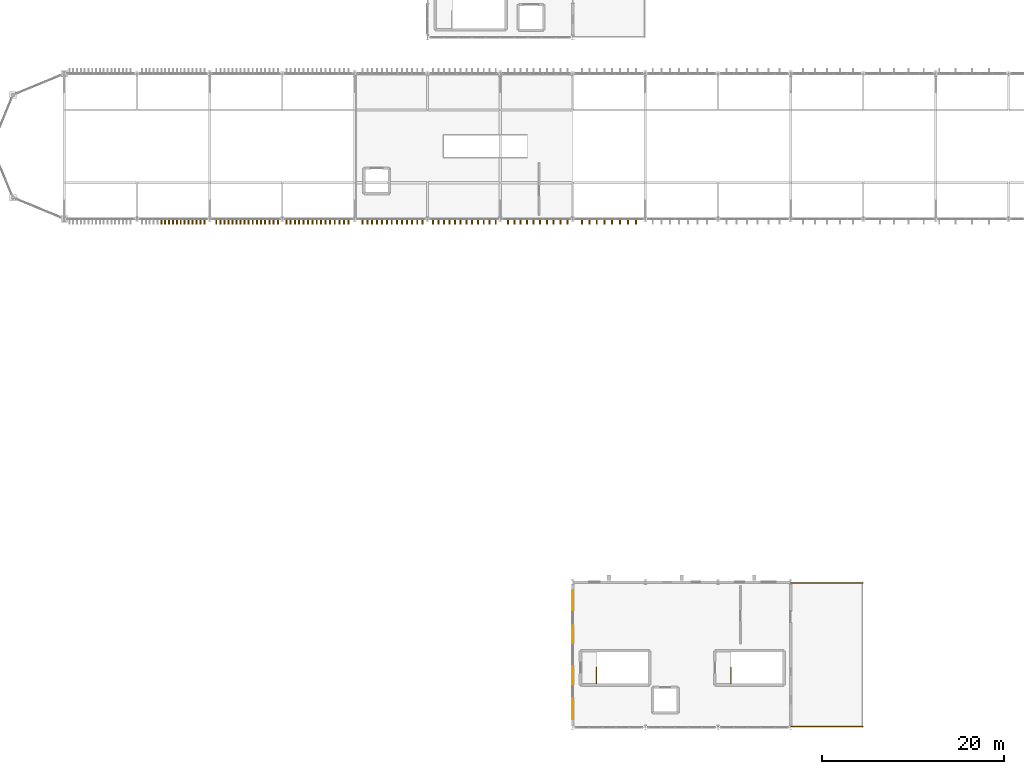
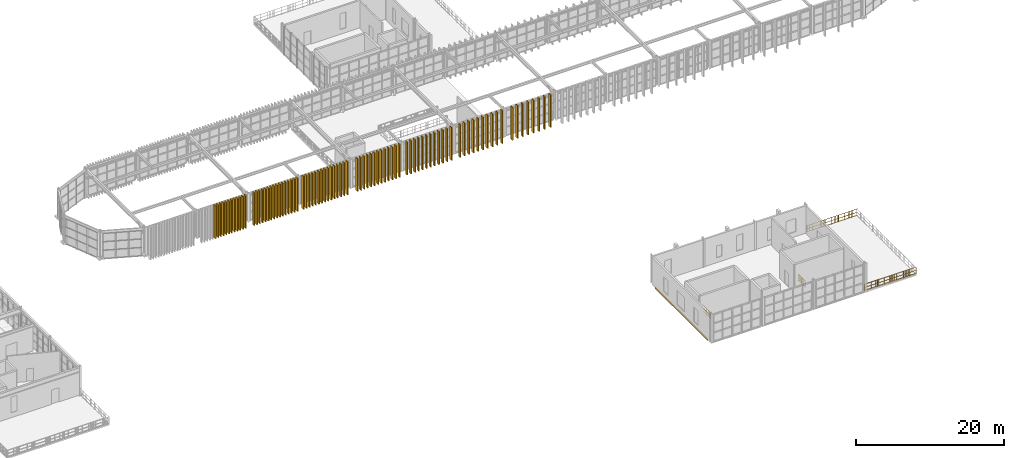
# One storey, part 56 of 61: 87 coverings, 4 railings.
"""IFC4 building model written with IfcOpenShell, lengths in metres."""

from ifc_helpers import new_model, si_unit, direction, frame, origin, origin_2d, place, context, subcontext, project, spatial, rectangle, extrude, material, layer, layer_set, type_object, element, save


model = new_model("IFC4")

# Units and contexts
model_context = context("Model", 3, precision=1e-05, world=origin(), true_north=direction((0.0, 1.0)))
body_context = subcontext(model_context, "Body", "Model", "MODEL_VIEW")
ifc_project = project(units=[si_unit("LENGTHUNIT", "METRE"), si_unit("AREAUNIT", "SQUARE_METRE"), si_unit("VOLUMEUNIT", "CUBIC_METRE"), si_unit("PLANEANGLEUNIT", "RADIAN"), si_unit("MASSUNIT", "GRAM", prefix="KILO")], contexts=[model_context])

# Site, building, storey
site_placement = place(None, origin())
site = spatial("IfcSite", under=ifc_project, at=site_placement, CompositionType="ELEMENT")
building_placement = place(site_placement, origin())
building = spatial("IfcBuilding", under=site, at=building_placement, Name="Serraluz Foothill Cableway Terminal", CompositionType="ELEMENT")
storey_placement = place(building_placement, frame((0.0, 0.0, 15.0)))
storey = spatial("IfcBuildingStorey", under=building, at=storey_placement, Name="L03", CompositionType="ELEMENT", Elevation=15.0)

# Coverings
ifc_material_1 = material(Name="Fired clay masonry brick (f'm 12 MPa)", Category="masonry")
ifc_layer_1 = layer(ifc_material_1, 0.090087890625, Name="Fired clay masonry brick (f'm 12 MPa)", Category="masonry")
ifc_layer_set_1 = layer_set([ifc_layer_1], Name="Fired clay masonry brick (f'm 12 MPa)")
covering_type_1 = type_object("IfcCoveringType", Name="TYP-COV-CLAD-90", PredefinedType="CLADDING", material=ifc_layer_set_1)
covering_placement = place(storey_placement, frame((95.969970703125, 8.0, -0.27978515625), z_axis=(0.0, 0.0, 1.0), x_axis=(0.0, 1.0, 0.0)))
element("IfcCovering", 1, at=covering_placement, inside=storey, type_object=covering_type_1, Name="Terracotta Spandrel Relief Band COV-CLAD-V3W-2", PredefinedType="CLADDING", context=body_context, shape_type="SweptSolid", body=[
    extrude(rectangle(XDim=14.199951171875, YDim=0.090087890625, at=origin_2d()), origin(), (0.0, 0.0, 1.0), 0.280029296875),
])
ifc_material_2 = material(Name="Architectural bronze alloy C28000", Category="aluminium")
ifc_layer_2 = layer(ifc_material_2, 0.159912109375, Name="Architectural bronze alloy C28000", Category="aluminium")
ifc_layer_set_2 = layer_set([ifc_layer_2], Name="Architectural bronze alloy C28000")
covering_type_2 = type_object("IfcCoveringType", Name="TYP-COV-SLAT-480", PredefinedType="CLADDING", material=ifc_layer_set_2)
for number, where, z_axis, x_axis, name in (
    (2, (50.67626953125, 55.639892578125, -0.64990234375), (0.0, 0.0, 1.0), (1.0, 0.0, 0.0), "Graduated Upper Vertical Facade Slat S-0023"),
    (3, (51.10302734375, 55.639892578125, -0.64990234375), (0.0, 0.0, 1.0), (1.0, 0.0, 0.0), "Graduated Upper Vertical Facade Slat S-0024"),
    (4, (51.53076171875, 55.639892578125, -0.64990234375), (0.0, 0.0, 1.0), (1.0, 0.0, 0.0), "Graduated Upper Vertical Facade Slat S-0025"),
    (5, (51.958984375, 55.639892578125, -0.64990234375), (0.0, 0.0, 1.0), (1.0, 0.0, 0.0), "Graduated Upper Vertical Facade Slat S-0026"),
    (6, (52.38818359375, 55.639892578125, -0.64990234375), (0.0, 0.0, 1.0), (1.0, 0.0, 0.0), "Graduated Upper Vertical Facade Slat S-0027"),
    (7, (52.818115234375, 55.639892578125, -0.64990234375), (0.0, 0.0, 1.0), (1.0, 0.0, 0.0), "Graduated Upper Vertical Facade Slat S-0028"),
    (8, (53.2490234375, 55.639892578125, -0.64990234375), (0.0, 0.0, 1.0), (1.0, 0.0, 0.0), "Graduated Upper Vertical Facade Slat S-0029"),
    (9, (53.680908203125, 55.639892578125, -0.64990234375), (0.0, 0.0, 1.0), (1.0, 0.0, 0.0), "Graduated Upper Vertical Facade Slat S-0030"),
    (10, (54.113525390625, 55.639892578125, -0.64990234375), (0.0, 0.0, 1.0), (1.0, 0.0, 0.0), "Graduated Upper Vertical Facade Slat S-0031"),
    (11, (54.547119140625, 55.639892578125, -0.64990234375), (0.0, 0.0, 1.0), (1.0, 0.0, 0.0), "Graduated Upper Vertical Facade Slat S-0032"),
    (12, (54.98193359375, 55.639892578125, -0.64990234375), (0.0, 0.0, 1.0), (1.0, 0.0, 0.0), "Graduated Upper Vertical Facade Slat S-0033"),
    (13, (55.417724609375, 55.639892578125, -0.64990234375), (0.0, 0.0, 1.0), (1.0, 0.0, 0.0), "Graduated Upper Vertical Facade Slat S-0034"),
    (14, (56.732421875, 55.639892578125, -0.64990234375), (0.0, 0.0, 1.0), (1.0, 0.0, 0.0), "Graduated Upper Vertical Facade Slat S-0035"),
    (15, (57.173095703125, 55.639892578125, -0.64990234375), (0.0, 0.0, 1.0), (1.0, 0.0, 0.0), "Graduated Upper Vertical Facade Slat S-0036"),
    (16, (57.615234375, 55.639892578125, -0.64990234375), (0.0, 0.0, 1.0), (1.0, 0.0, 0.0), "Graduated Upper Vertical Facade Slat S-0037"),
    (17, (58.058837890625, 55.639892578125, -0.64990234375), (0.0, 0.0, 1.0), (1.0, 0.0, 0.0), "Graduated Upper Vertical Facade Slat S-0038"),
    (18, (58.503662109375, 55.639892578125, -0.64990234375), (0.0, 0.0, 1.0), (1.0, 0.0, 0.0), "Graduated Upper Vertical Facade Slat S-0039"),
    (19, (58.9501953125, 55.639892578125, -0.64990234375), (0.0, 0.0, 1.0), (1.0, 0.0, 0.0), "Graduated Upper Vertical Facade Slat S-0040"),
    (20, (59.398193359375, 55.639892578125, -0.64990234375), (0.0, 0.0, 1.0), (1.0, 0.0, 0.0), "Graduated Upper Vertical Facade Slat S-0041"),
    (21, (59.847900390625, 55.639892578125, -0.64990234375), (0.0, 0.0, 1.0), (1.0, 0.0, 0.0), "Graduated Upper Vertical Facade Slat S-0042"),
    (22, (60.299072265625, 55.639892578125, -0.64990234375), (0.0, 0.0, 1.0), (1.0, 0.0, 0.0), "Graduated Upper Vertical Facade Slat S-0043"),
    (23, (60.752197265625, 55.639892578125, -0.64990234375), (0.0, 0.0, 1.0), (1.0, 0.0, 0.0), "Graduated Upper Vertical Facade Slat S-0044"),
    (24, (61.20703125, 55.639892578125, -0.64990234375), (0.0, 0.0, 1.0), (1.0, 0.0, 0.0), "Graduated Upper Vertical Facade Slat S-0045"),
    (25, (61.663818359375, 55.639892578125, -0.64990234375), (0.0, 0.0, 1.0), (1.0, 0.0, 0.0), "Graduated Upper Vertical Facade Slat S-0046"),
    (26, (62.12255859375, 55.639892578125, -0.64990234375), (0.0, 0.0, 1.0), (1.0, 0.0, 0.0), "Graduated Upper Vertical Facade Slat S-0047"),
    (27, (62.5830078125, 55.639892578125, -0.64990234375), (0.0, 0.0, 1.0), (1.0, 0.0, 0.0), "Graduated Upper Vertical Facade Slat S-0048"),
    (28, (63.0458984375, 55.639892578125, -0.64990234375), (0.0, 0.0, 1.0), (1.0, 0.0, 0.0), "Graduated Upper Vertical Facade Slat S-0049"),
    (29, (63.5107421875, 55.639892578125, -0.64990234375), (0.0, 0.0, 1.0), (1.0, 0.0, 0.0), "Graduated Upper Vertical Facade Slat S-0050"),
    (30, (64.447265625, 55.639892578125, -0.64990234375), (0.0, 0.0, 1.0), (1.0, 0.0, 0.0), "Graduated Upper Vertical Facade Slat S-0051"),
    (31, (64.9189453125, 55.639892578125, -0.64990234375), (0.0, 0.0, 1.0), (1.0, 0.0, 0.0), "Graduated Upper Vertical Facade Slat S-0052"),
    (32, (65.39306640625, 55.639892578125, -0.64990234375), (0.0, 0.0, 1.0), (1.0, 0.0, 0.0), "Graduated Upper Vertical Facade Slat S-0053"),
    (33, (65.86962890625, 55.639892578125, -0.64990234375), (0.0, 0.0, 1.0), (1.0, 0.0, 0.0), "Graduated Upper Vertical Facade Slat S-0054"),
    (34, (66.348876953125, 55.639892578125, -0.64990234375), (0.0, 0.0, 1.0), (1.0, 0.0, 0.0), "Graduated Upper Vertical Facade Slat S-0055"),
    (35, (66.830810546875, 55.639892578125, -0.64990234375), (0.0, 0.0, 1.0), (1.0, 0.0, 0.0), "Graduated Upper Vertical Facade Slat S-0056"),
    (36, (67.315185546875, 55.639892578125, -0.64990234375), (0.0, 0.0, 1.0), (1.0, 0.0, 0.0), "Graduated Upper Vertical Facade Slat S-0057"),
    (37, (67.802734375, 55.639892578125, -0.64990234375), (0.0, 0.0, 1.0), (1.0, 0.0, 0.0), "Graduated Upper Vertical Facade Slat S-0058"),
    (38, (68.293212890625, 55.639892578125, -0.64990234375), (0.0, 0.0, 1.0), (1.0, 0.0, 0.0), "Graduated Upper Vertical Facade Slat S-0059"),
    (39, (68.78662109375, 55.639892578125, -0.64990234375), (0.0, 0.0, 1.0), (1.0, 0.0, 0.0), "Graduated Upper Vertical Facade Slat S-0060"),
    (40, (69.282958984375, 55.639892578125, -0.64990234375), (0.0, 0.0, 1.0), (1.0, 0.0, 0.0), "Graduated Upper Vertical Facade Slat S-0061"),
    (41, (69.78271484375, 55.639892578125, -0.64990234375), (0.0, 0.0, 1.0), (1.0, 0.0, 0.0), "Graduated Upper Vertical Facade Slat S-0062"),
    (42, (70.285400390625, 55.639892578125, -0.64990234375), (0.0, 0.0, 1.0), (1.0, 0.0, 0.0), "Graduated Upper Vertical Facade Slat S-0063"),
    (43, (70.7919921875, 55.639892578125, -0.64990234375), (0.0, 0.0, 1.0), (1.0, 0.0, 0.0), "Graduated Upper Vertical Facade Slat S-0064"),
    (44, (71.3017578125, 55.639892578125, -0.64990234375), (0.0, 0.0, 1.0), (1.0, 0.0, 0.0), "Graduated Upper Vertical Facade Slat S-0065"),
    (45, (72.85302734375, 55.639892578125, -0.64990234375), (0.0, 0.0, 1.0), (1.0, 0.0, 0.0), "Graduated Upper Vertical Facade Slat S-0066"),
    (46, (73.3779296875, 55.639892578125, -0.64990234375), (0.0, 0.0, 1.0), (1.0, 0.0, 0.0), "Graduated Upper Vertical Facade Slat S-0067"),
    (47, (73.906982421875, 55.639892578125, -0.64990234375), (0.0, 0.0, 1.0), (1.0, 0.0, 0.0), "Graduated Upper Vertical Facade Slat S-0068"),
    (48, (74.43994140625, 55.639892578125, -0.64990234375), (0.0, 0.0, 1.0), (1.0, 0.0, 0.0), "Graduated Upper Vertical Facade Slat S-0069"),
    (49, (74.977294921875, 55.639892578125, -0.64990234375), (0.0, 0.0, 1.0), (1.0, 0.0, 0.0), "Graduated Upper Vertical Facade Slat S-0070"),
    (50, (75.51904296875, 55.639892578125, -0.64990234375), (0.0, 0.0, 1.0), (1.0, 0.0, 0.0), "Graduated Upper Vertical Facade Slat S-0071"),
    (51, (76.065185546875, 55.639892578125, -0.64990234375), (0.0, 0.0, 1.0), (1.0, 0.0, 0.0), "Graduated Upper Vertical Facade Slat S-0072"),
    (52, (76.6162109375, 55.639892578125, -0.64990234375), (0.0, 0.0, 1.0), (1.0, 0.0, 0.0), "Graduated Upper Vertical Facade Slat S-0073"),
    (53, (77.172119140625, 55.639892578125, -0.64990234375), (0.0, 0.0, 1.0), (1.0, 0.0, 0.0), "Graduated Upper Vertical Facade Slat S-0074"),
    (54, (77.73291015625, 55.639892578125, -0.64990234375), (0.0, 0.0, 1.0), (1.0, 0.0, 0.0), "Graduated Upper Vertical Facade Slat S-0075"),
    (55, (78.298583984375, 55.639892578125, -0.64990234375), (0.0, 0.0, 1.0), (1.0, 0.0, 0.0), "Graduated Upper Vertical Facade Slat S-0076"),
    (56, (78.86962890625, 55.639892578125, -0.64990234375), (0.0, 0.0, 1.0), (1.0, 0.0, 0.0), "Graduated Upper Vertical Facade Slat S-0077"),
    (57, (79.4462890625, 55.639892578125, -0.64990234375), (0.0, 0.0, 1.0), (1.0, 0.0, 0.0), "Graduated Upper Vertical Facade Slat S-0078"),
    (58, (80.6162109375, 55.639892578125, -0.64990234375), (0.0, 0.0, 1.0), (1.0, 0.0, 0.0), "Graduated Upper Vertical Facade Slat S-0079"),
    (59, (81.210205078125, 55.639892578125, -0.64990234375), (0.0, 0.0, 1.0), (1.0, 0.0, 0.0), "Graduated Upper Vertical Facade Slat S-0080"),
    (60, (81.81005859375, 55.639892578125, -0.64990234375), (0.0, 0.0, 1.0), (1.0, 0.0, 0.0), "Graduated Upper Vertical Facade Slat S-0081"),
    (61, (82.416259765625, 55.639892578125, -0.64990234375), (0.0, 0.0, 1.0), (1.0, 0.0, 0.0), "Graduated Upper Vertical Facade Slat S-0082"),
    (62, (83.02880859375, 55.639892578125, -0.64990234375), (0.0, 0.0, 1.0), (1.0, 0.0, 0.0), "Graduated Upper Vertical Facade Slat S-0083"),
    (63, (83.648193359375, 55.639892578125, -0.64990234375), (0.0, 0.0, 1.0), (1.0, 0.0, 0.0), "Graduated Upper Vertical Facade Slat S-0084"),
    (64, (84.2744140625, 55.639892578125, -0.64990234375), (0.0, 0.0, 1.0), (1.0, 0.0, 0.0), "Graduated Upper Vertical Facade Slat S-0085"),
    (65, (84.90771484375, 55.639892578125, -0.64990234375), (0.0, 0.0, 1.0), (1.0, 0.0, 0.0), "Graduated Upper Vertical Facade Slat S-0086"),
    (66, (85.548583984375, 55.639892578125, -0.64990234375), (0.0, 0.0, 1.0), (1.0, 0.0, 0.0), "Graduated Upper Vertical Facade Slat S-0087"),
    (67, (86.19677734375, 55.639892578125, -0.64990234375), (0.0, 0.0, 1.0), (1.0, 0.0, 0.0), "Graduated Upper Vertical Facade Slat S-0088"),
    (68, (86.852783203125, 55.639892578125, -0.64990234375), (0.0, 0.0, 1.0), (1.0, 0.0, 0.0), "Graduated Upper Vertical Facade Slat S-0089"),
    (69, (87.516845703125, 55.639892578125, -0.64990234375), (0.0, 0.0, 1.0), (1.0, 0.0, 0.0), "Graduated Upper Vertical Facade Slat S-0090"),
    (70, (88.8701171875, 55.639892578125, -0.64990234375), (0.0, 0.0, 1.0), (1.0, 0.0, 0.0), "Graduated Upper Vertical Facade Slat S-0091"),
    (71, (89.559814453125, 55.639892578125, -0.64990234375), (0.0, 0.0, 1.0), (1.0, 0.0, 0.0), "Graduated Upper Vertical Facade Slat S-0092"),
    (72, (90.2587890625, 55.639892578125, -0.64990234375), (0.0, 0.0, 1.0), (1.0, 0.0, 0.0), "Graduated Upper Vertical Facade Slat S-0093"),
    (73, (90.96728515625, 55.639892578125, -0.64990234375), (0.0, 0.0, 1.0), (1.0, 0.0, 0.0), "Graduated Upper Vertical Facade Slat S-0094"),
    (74, (91.685302734375, 55.639892578125, -0.64990234375), (0.0, 0.0, 1.0), (1.0, 0.0, 0.0), "Graduated Upper Vertical Facade Slat S-0095"),
    (75, (92.413330078125, 55.639892578125, -0.64990234375), (0.0, 0.0, 1.0), (1.0, 0.0, 0.0), "Graduated Upper Vertical Facade Slat S-0096"),
    (76, (93.15185546875, 55.639892578125, -0.64990234375), (0.0, 0.0, 1.0), (1.0, 0.0, 0.0), "Graduated Upper Vertical Facade Slat S-0097"),
    (77, (93.901123046875, 55.639892578125, -0.64990234375), (0.0, 0.0, 1.0), (1.0, 0.0, 0.0), "Graduated Upper Vertical Facade Slat S-0098"),
    (78, (94.66162109375, 55.639892578125, -0.64990234375), (0.0, 0.0, 1.0), (1.0, 0.0, 0.0), "Graduated Upper Vertical Facade Slat S-0099"),
    (79, (95.43359375, 55.639892578125, -0.64990234375), (0.0, 0.0, 1.0), (1.0, 0.0, 0.0), "Graduated Upper Vertical Facade Slat S-0100"),
    (80, (97.013427734375, 55.639892578125, -0.64990234375), (0.0, 0.0, 1.0), (1.0, 0.0, 0.0), "Graduated Upper Vertical Facade Slat S-0101"),
    (81, (97.822265625, 55.639892578125, -0.64990234375), (0.0, 0.0, 1.0), (1.0, 0.0, 0.0), "Graduated Upper Vertical Facade Slat S-0102"),
    (82, (98.644287109375, 55.639892578125, -0.64990234375), (0.0, 0.0, 1.0), (1.0, 0.0, 0.0), "Graduated Upper Vertical Facade Slat S-0103"),
    (83, (99.47998046875, 55.639892578125, -0.64990234375), (0.0, 0.0, 1.0), (1.0, 0.0, 0.0), "Graduated Upper Vertical Facade Slat S-0104"),
    (84, (100.330078125, 55.639892578125, -0.64990234375), (0.0, 0.0, 1.0), (1.0, 0.0, 0.0), "Graduated Upper Vertical Facade Slat S-0105"),
    (85, (101.194580078125, 55.639892578125, -0.64990234375), (0.0, 0.0, 1.0), (1.0, 0.0, 0.0), "Graduated Upper Vertical Facade Slat S-0106"),
    (86, (102.074462890625, 55.639892578125, -0.64990234375), (0.0, 0.0, 1.0), (1.0, 0.0, 0.0), "Graduated Upper Vertical Facade Slat S-0107"),
    (87, (102.97021484375, 55.639892578125, -0.64990234375), (0.0, 0.0, 1.0), (1.0, 0.0, 0.0), "Graduated Upper Vertical Facade Slat S-0108"),
):
    element("IfcCovering", number, at=place(storey_placement, frame(where, z_axis=z_axis, x_axis=x_axis)), inside=storey, type_object=covering_type_2, Name=name, PredefinedType="CLADDING", context=body_context, shape_type="SweptSolid", body=[
        extrude(rectangle(XDim=0.159912109375, YDim=0.47998046875, at=origin_2d()), origin(), (0.0, 0.0, 1.0), 5.419921875),
    ])

# Railings
ifc_material_3 = material(Name="Steel ASTM A572 Grade 50", Category="steel")
ifc_layer_3 = layer(ifc_material_3, 0.06005859375, Name="Steel ASTM A572 Grade 50", Category="steel")
ifc_layer_set_3 = layer_set([ifc_layer_3], Name="Steel ASTM A572 Grade 50")
railing_type_1 = type_object("IfcRailingType", Name="TYP-RL-BAL-1150", PredefinedType="BALUSTRADE", material=ifc_layer_set_3)
railing_1_placement = place(storey_placement, frame((120.0, 0.080078125, 0.0)))
element("IfcRailing", 88, at=railing_1_placement, inside=storey, type_object=railing_type_1, Name="BALUSTRADE BAL-TER-L03-V3-1", PredefinedType="BALUSTRADE", context=body_context, shape_type="SweptSolid", body=[
    extrude(rectangle(XDim=0.048095703125, YDim=0.048095703125, at=origin_2d()), frame((0.0, 0.0, 1.1259765625), z_axis=(1.0, 0.0, 0.0), x_axis=(0.0, 1.0, 0.0)), (0.0, 0.0, 1.0), 8.0),
    extrude(rectangle(XDim=0.048095703125, YDim=0.048095703125, at=origin_2d()), frame((0.0, 0.0, 0.597900390625), z_axis=(1.0, 0.0, 0.0), x_axis=(0.0, 1.0, 0.0)), (0.0, 0.0, 1.0), 8.0),
    extrude(rectangle(XDim=0.048095703125, YDim=0.048095703125, at=origin_2d()), frame((0.0, 0.0, 0.1201171875), z_axis=(1.0, 0.0, 0.0), x_axis=(0.0, 1.0, 0.0)), (0.0, 0.0, 1.0), 8.0),
    extrude(rectangle(XDim=0.02001953125, YDim=0.02001953125, at=origin_2d()), frame((0.242431640625, 0.0, 0.1201171875)), (0.0, 0.0, 1.0), 0.981689453125),
    extrude(rectangle(XDim=0.02001953125, YDim=0.02001953125, at=origin_2d()), frame((0.48486328125, 0.0, 0.1201171875)), (0.0, 0.0, 1.0), 0.981689453125),
    extrude(rectangle(XDim=0.02001953125, YDim=0.02001953125, at=origin_2d()), frame((0.727294921875, 0.0, 0.1201171875)), (0.0, 0.0, 1.0), 0.981689453125),
    extrude(rectangle(XDim=0.02001953125, YDim=0.02001953125, at=origin_2d()), frame((1.212158203125, 0.0, 0.1201171875)), (0.0, 0.0, 1.0), 0.981689453125),
    extrude(rectangle(XDim=0.02001953125, YDim=0.02001953125, at=origin_2d()), frame((1.45458984375, 0.0, 0.1201171875)), (0.0, 0.0, 1.0), 0.981689453125),
    extrude(rectangle(XDim=0.02001953125, YDim=0.02001953125, at=origin_2d()), frame((1.697021484375, 0.0, 0.1201171875)), (0.0, 0.0, 1.0), 0.981689453125),
    extrude(rectangle(XDim=0.02001953125, YDim=0.02001953125, at=origin_2d()), frame((1.939453125, 0.0, 0.1201171875)), (0.0, 0.0, 1.0), 0.981689453125),
    extrude(rectangle(XDim=0.02001953125, YDim=0.02001953125, at=origin_2d()), frame((2.181884765625, 0.0, 0.1201171875)), (0.0, 0.0, 1.0), 0.981689453125),
    extrude(rectangle(XDim=0.02001953125, YDim=0.02001953125, at=origin_2d()), frame((2.42431640625, 0.0, 0.1201171875)), (0.0, 0.0, 1.0), 0.981689453125),
    extrude(rectangle(XDim=0.02001953125, YDim=0.02001953125, at=origin_2d()), frame((2.666748046875, 0.0, 0.1201171875)), (0.0, 0.0, 1.0), 0.981689453125),
    extrude(rectangle(XDim=0.02001953125, YDim=0.02001953125, at=origin_2d()), frame((2.9091796875, 0.0, 0.1201171875)), (0.0, 0.0, 1.0), 0.981689453125),
    extrude(rectangle(XDim=0.02001953125, YDim=0.02001953125, at=origin_2d()), frame((3.151611328125, 0.0, 0.1201171875)), (0.0, 0.0, 1.0), 0.981689453125),
    extrude(rectangle(XDim=0.02001953125, YDim=0.02001953125, at=origin_2d()), frame((3.39404296875, 0.0, 0.1201171875)), (0.0, 0.0, 1.0), 0.981689453125),
    extrude(rectangle(XDim=0.02001953125, YDim=0.02001953125, at=origin_2d()), frame((3.636474609375, 0.0, 0.1201171875)), (0.0, 0.0, 1.0), 0.981689453125),
    extrude(rectangle(XDim=0.02001953125, YDim=0.02001953125, at=origin_2d()), frame((3.87890625, 0.0, 0.1201171875)), (0.0, 0.0, 1.0), 0.981689453125),
    extrude(rectangle(XDim=0.02001953125, YDim=0.02001953125, at=origin_2d()), frame((4.12109375, 0.0, 0.1201171875)), (0.0, 0.0, 1.0), 0.981689453125),
    extrude(rectangle(XDim=0.02001953125, YDim=0.02001953125, at=origin_2d()), frame((4.363525390625, 0.0, 0.1201171875)), (0.0, 0.0, 1.0), 0.981689453125),
    extrude(rectangle(XDim=0.02001953125, YDim=0.02001953125, at=origin_2d()), frame((4.60595703125, 0.0, 0.1201171875)), (0.0, 0.0, 1.0), 0.981689453125),
    extrude(rectangle(XDim=0.02001953125, YDim=0.02001953125, at=origin_2d()), frame((4.848388671875, 0.0, 0.1201171875)), (0.0, 0.0, 1.0), 0.981689453125),
    extrude(rectangle(XDim=0.02001953125, YDim=0.02001953125, at=origin_2d()), frame((5.0908203125, 0.0, 0.1201171875)), (0.0, 0.0, 1.0), 0.981689453125),
    extrude(rectangle(XDim=0.02001953125, YDim=0.02001953125, at=origin_2d()), frame((5.333251953125, 0.0, 0.1201171875)), (0.0, 0.0, 1.0), 0.981689453125),
    extrude(rectangle(XDim=0.02001953125, YDim=0.02001953125, at=origin_2d()), frame((5.57568359375, 0.0, 0.1201171875)), (0.0, 0.0, 1.0), 0.981689453125),
    extrude(rectangle(XDim=0.02001953125, YDim=0.02001953125, at=origin_2d()), frame((5.818115234375, 0.0, 0.1201171875)), (0.0, 0.0, 1.0), 0.981689453125),
    extrude(rectangle(XDim=0.02001953125, YDim=0.02001953125, at=origin_2d()), frame((6.060546875, 0.0, 0.1201171875)), (0.0, 0.0, 1.0), 0.981689453125),
    extrude(rectangle(XDim=0.02001953125, YDim=0.02001953125, at=origin_2d()), frame((6.302978515625, 0.0, 0.1201171875)), (0.0, 0.0, 1.0), 0.981689453125),
    extrude(rectangle(XDim=0.02001953125, YDim=0.02001953125, at=origin_2d()), frame((6.54541015625, 0.0, 0.1201171875)), (0.0, 0.0, 1.0), 0.981689453125),
    extrude(rectangle(XDim=0.02001953125, YDim=0.02001953125, at=origin_2d()), frame((6.787841796875, 0.0, 0.1201171875)), (0.0, 0.0, 1.0), 0.981689453125),
    extrude(rectangle(XDim=0.02001953125, YDim=0.02001953125, at=origin_2d()), frame((7.272705078125, 0.0, 0.1201171875)), (0.0, 0.0, 1.0), 0.981689453125),
    extrude(rectangle(XDim=0.02001953125, YDim=0.02001953125, at=origin_2d()), frame((7.51513671875, 0.0, 0.1201171875)), (0.0, 0.0, 1.0), 0.981689453125),
    extrude(rectangle(XDim=0.02001953125, YDim=0.02001953125, at=origin_2d()), frame((7.757568359375, 0.0, 0.1201171875)), (0.0, 0.0, 1.0), 0.981689453125),
    extrude(rectangle(XDim=0.0439453125, YDim=0.0439453125, at=origin_2d()), origin(), (0.0, 0.0, 1.0), 1.101806640625),
    extrude(rectangle(XDim=0.0439453125, YDim=0.0439453125, at=origin_2d()), frame((1.0, 0.0, 0.0)), (0.0, 0.0, 1.0), 1.101806640625),
    extrude(rectangle(XDim=0.0439453125, YDim=0.0439453125, at=origin_2d()), frame((2.0, 0.0, 0.0)), (0.0, 0.0, 1.0), 1.101806640625),
    extrude(rectangle(XDim=0.0439453125, YDim=0.0439453125, at=origin_2d()), frame((3.0, 0.0, 0.0)), (0.0, 0.0, 1.0), 1.101806640625),
    extrude(rectangle(XDim=0.0439453125, YDim=0.0439453125, at=origin_2d()), frame((4.0, 0.0, 0.0)), (0.0, 0.0, 1.0), 1.101806640625),
    extrude(rectangle(XDim=0.0439453125, YDim=0.0439453125, at=origin_2d()), frame((5.0, 0.0, 0.0)), (0.0, 0.0, 1.0), 1.101806640625),
    extrude(rectangle(XDim=0.0439453125, YDim=0.0439453125, at=origin_2d()), frame((6.0, 0.0, 0.0)), (0.0, 0.0, 1.0), 1.101806640625),
    extrude(rectangle(XDim=0.0439453125, YDim=0.0439453125, at=origin_2d()), frame((7.0, 0.0, 0.0)), (0.0, 0.0, 1.0), 1.101806640625),
    extrude(rectangle(XDim=0.0439453125, YDim=0.0439453125, at=origin_2d()), frame((8.0, 0.0, 0.0)), (0.0, 0.0, 1.0), 1.101806640625),
])
railing_2_placement = place(storey_placement, frame((128.0, 15.919921875, 0.0)))
element("IfcRailing", 89, at=railing_2_placement, inside=storey, type_object=railing_type_1, Name="BALUSTRADE BAL-TER-L03-V3-3", PredefinedType="BALUSTRADE", context=body_context, shape_type="SweptSolid", body=[
    extrude(rectangle(XDim=0.048095703125, YDim=0.048095703125, at=origin_2d()), frame((0.0, 0.0, 1.1259765625), z_axis=(-1.0, 0.0, 0.0), x_axis=(0.0, -1.0, 0.0)), (0.0, 0.0, 1.0), 8.0),
    extrude(rectangle(XDim=0.048095703125, YDim=0.048095703125, at=origin_2d()), frame((0.0, 0.0, 0.597900390625), z_axis=(-1.0, 0.0, 0.0), x_axis=(0.0, -1.0, 0.0)), (0.0, 0.0, 1.0), 8.0),
    extrude(rectangle(XDim=0.048095703125, YDim=0.048095703125, at=origin_2d()), frame((0.0, 0.0, 0.1201171875), z_axis=(-1.0, 0.0, 0.0), x_axis=(0.0, -1.0, 0.0)), (0.0, 0.0, 1.0), 8.0),
    extrude(rectangle(XDim=0.02001953125, YDim=0.02001953125, at=origin_2d()), frame((-0.242431640625, 0.0, 0.1201171875)), (0.0, 0.0, 1.0), 0.981689453125),
    extrude(rectangle(XDim=0.02001953125, YDim=0.02001953125, at=origin_2d()), frame((-0.48486328125, 0.0, 0.1201171875)), (0.0, 0.0, 1.0), 0.981689453125),
    extrude(rectangle(XDim=0.02001953125, YDim=0.02001953125, at=origin_2d()), frame((-0.727294921875, 0.0, 0.1201171875)), (0.0, 0.0, 1.0), 0.981689453125),
    extrude(rectangle(XDim=0.02001953125, YDim=0.02001953125, at=origin_2d()), frame((-1.212158203125, 0.0, 0.1201171875)), (0.0, 0.0, 1.0), 0.981689453125),
    extrude(rectangle(XDim=0.02001953125, YDim=0.02001953125, at=origin_2d()), frame((-1.45458984375, 0.0, 0.1201171875)), (0.0, 0.0, 1.0), 0.981689453125),
    extrude(rectangle(XDim=0.02001953125, YDim=0.02001953125, at=origin_2d()), frame((-1.697021484375, 0.0, 0.1201171875)), (0.0, 0.0, 1.0), 0.981689453125),
    extrude(rectangle(XDim=0.02001953125, YDim=0.02001953125, at=origin_2d()), frame((-1.939453125, 0.0, 0.1201171875)), (0.0, 0.0, 1.0), 0.981689453125),
    extrude(rectangle(XDim=0.02001953125, YDim=0.02001953125, at=origin_2d()), frame((-2.181884765625, 0.0, 0.1201171875)), (0.0, 0.0, 1.0), 0.981689453125),
    extrude(rectangle(XDim=0.02001953125, YDim=0.02001953125, at=origin_2d()), frame((-2.42431640625, 0.0, 0.1201171875)), (0.0, 0.0, 1.0), 0.981689453125),
    extrude(rectangle(XDim=0.02001953125, YDim=0.02001953125, at=origin_2d()), frame((-2.666748046875, 0.0, 0.1201171875)), (0.0, 0.0, 1.0), 0.981689453125),
    extrude(rectangle(XDim=0.02001953125, YDim=0.02001953125, at=origin_2d()), frame((-2.9091796875, 0.0, 0.1201171875)), (0.0, 0.0, 1.0), 0.981689453125),
    extrude(rectangle(XDim=0.02001953125, YDim=0.02001953125, at=origin_2d()), frame((-3.151611328125, 0.0, 0.1201171875)), (0.0, 0.0, 1.0), 0.981689453125),
    extrude(rectangle(XDim=0.02001953125, YDim=0.02001953125, at=origin_2d()), frame((-3.39404296875, 0.0, 0.1201171875)), (0.0, 0.0, 1.0), 0.981689453125),
    extrude(rectangle(XDim=0.02001953125, YDim=0.02001953125, at=origin_2d()), frame((-3.636474609375, 0.0, 0.1201171875)), (0.0, 0.0, 1.0), 0.981689453125),
    extrude(rectangle(XDim=0.02001953125, YDim=0.02001953125, at=origin_2d()), frame((-3.87890625, 0.0, 0.1201171875)), (0.0, 0.0, 1.0), 0.981689453125),
    extrude(rectangle(XDim=0.02001953125, YDim=0.02001953125, at=origin_2d()), frame((-4.12109375, 0.0, 0.1201171875)), (0.0, 0.0, 1.0), 0.981689453125),
    extrude(rectangle(XDim=0.02001953125, YDim=0.02001953125, at=origin_2d()), frame((-4.363525390625, 0.0, 0.1201171875)), (0.0, 0.0, 1.0), 0.981689453125),
    extrude(rectangle(XDim=0.02001953125, YDim=0.02001953125, at=origin_2d()), frame((-4.60595703125, 0.0, 0.1201171875)), (0.0, 0.0, 1.0), 0.981689453125),
    extrude(rectangle(XDim=0.02001953125, YDim=0.02001953125, at=origin_2d()), frame((-4.848388671875, 0.0, 0.1201171875)), (0.0, 0.0, 1.0), 0.981689453125),
    extrude(rectangle(XDim=0.02001953125, YDim=0.02001953125, at=origin_2d()), frame((-5.0908203125, 0.0, 0.1201171875)), (0.0, 0.0, 1.0), 0.981689453125),
    extrude(rectangle(XDim=0.02001953125, YDim=0.02001953125, at=origin_2d()), frame((-5.333251953125, 0.0, 0.1201171875)), (0.0, 0.0, 1.0), 0.981689453125),
    extrude(rectangle(XDim=0.02001953125, YDim=0.02001953125, at=origin_2d()), frame((-5.57568359375, 0.0, 0.1201171875)), (0.0, 0.0, 1.0), 0.981689453125),
    extrude(rectangle(XDim=0.02001953125, YDim=0.02001953125, at=origin_2d()), frame((-5.818115234375, 0.0, 0.1201171875)), (0.0, 0.0, 1.0), 0.981689453125),
    extrude(rectangle(XDim=0.02001953125, YDim=0.02001953125, at=origin_2d()), frame((-6.060546875, 0.0, 0.1201171875)), (0.0, 0.0, 1.0), 0.981689453125),
    extrude(rectangle(XDim=0.02001953125, YDim=0.02001953125, at=origin_2d()), frame((-6.302978515625, 0.0, 0.1201171875)), (0.0, 0.0, 1.0), 0.981689453125),
    extrude(rectangle(XDim=0.02001953125, YDim=0.02001953125, at=origin_2d()), frame((-6.54541015625, 0.0, 0.1201171875)), (0.0, 0.0, 1.0), 0.981689453125),
    extrude(rectangle(XDim=0.02001953125, YDim=0.02001953125, at=origin_2d()), frame((-6.787841796875, 0.0, 0.1201171875)), (0.0, 0.0, 1.0), 0.981689453125),
    extrude(rectangle(XDim=0.02001953125, YDim=0.02001953125, at=origin_2d()), frame((-7.272705078125, 0.0, 0.1201171875)), (0.0, 0.0, 1.0), 0.981689453125),
    extrude(rectangle(XDim=0.02001953125, YDim=0.02001953125, at=origin_2d()), frame((-7.51513671875, 0.0, 0.1201171875)), (0.0, 0.0, 1.0), 0.981689453125),
    extrude(rectangle(XDim=0.02001953125, YDim=0.02001953125, at=origin_2d()), frame((-7.757568359375, 0.0, 0.1201171875)), (0.0, 0.0, 1.0), 0.981689453125),
    extrude(rectangle(XDim=0.0439453125, YDim=0.0439453125, at=origin_2d()), origin(), (0.0, 0.0, 1.0), 1.101806640625),
    extrude(rectangle(XDim=0.0439453125, YDim=0.0439453125, at=origin_2d()), frame((-1.0, 0.0, 0.0)), (0.0, 0.0, 1.0), 1.101806640625),
    extrude(rectangle(XDim=0.0439453125, YDim=0.0439453125, at=origin_2d()), frame((-2.0, 0.0, 0.0)), (0.0, 0.0, 1.0), 1.101806640625),
    extrude(rectangle(XDim=0.0439453125, YDim=0.0439453125, at=origin_2d()), frame((-3.0, 0.0, 0.0)), (0.0, 0.0, 1.0), 1.101806640625),
    extrude(rectangle(XDim=0.0439453125, YDim=0.0439453125, at=origin_2d()), frame((-4.0, 0.0, 0.0)), (0.0, 0.0, 1.0), 1.101806640625),
    extrude(rectangle(XDim=0.0439453125, YDim=0.0439453125, at=origin_2d()), frame((-5.0, 0.0, 0.0)), (0.0, 0.0, 1.0), 1.101806640625),
    extrude(rectangle(XDim=0.0439453125, YDim=0.0439453125, at=origin_2d()), frame((-6.0, 0.0, 0.0)), (0.0, 0.0, 1.0), 1.101806640625),
    extrude(rectangle(XDim=0.0439453125, YDim=0.0439453125, at=origin_2d()), frame((-7.0, 0.0, 0.0)), (0.0, 0.0, 1.0), 1.101806640625),
    extrude(rectangle(XDim=0.0439453125, YDim=0.0439453125, at=origin_2d()), frame((-8.0, 0.0, 0.0)), (0.0, 0.0, 1.0), 1.101806640625),
])
ifc_layer_4 = layer(ifc_material_3, 0.054931640625, Name="Steel ASTM A572 Grade 50", Category="steel")
ifc_layer_set_4 = layer_set([ifc_layer_4], Name="Steel ASTM A572 Grade 50")
railing_type_2 = type_object("IfcRailingType", Name="TYP-RL-GRD-1150", PredefinedType="GUARDRAIL", material=ifc_layer_set_4)
railing_3_placement = place(storey_placement, frame((98.610107421875, 4.800048828125, 0.0)))
element("IfcRailing", 90, at=railing_3_placement, inside=storey, type_object=railing_type_2, Name="L03 ST-06 top well guard 1", PredefinedType="GUARDRAIL", context=body_context, shape_type="SweptSolid", body=[
    extrude(rectangle(XDim=0.048095703125, YDim=0.048095703125, at=origin_2d()), frame((0.0, 0.0, 1.1259765625), z_axis=(0.0, 1.0, 0.0), x_axis=(-1.0, 0.0, 0.0)), (0.0, 0.0, 1.0), 1.820068359375),
    extrude(rectangle(XDim=0.048095703125, YDim=0.048095703125, at=origin_2d()), frame((0.0, 0.0, 0.597900390625), z_axis=(0.0, 1.0, 0.0), x_axis=(-1.0, 0.0, 0.0)), (0.0, 0.0, 1.0), 1.820068359375),
    extrude(rectangle(XDim=0.048095703125, YDim=0.048095703125, at=origin_2d()), frame((0.0, 0.0, 0.1201171875), z_axis=(0.0, 1.0, 0.0), x_axis=(-1.0, 0.0, 0.0)), (0.0, 0.0, 1.0), 1.820068359375),
    extrude(rectangle(XDim=0.02001953125, YDim=0.02001953125, at=origin_2d()), frame((0.0, 0.260009765625, 0.1201171875)), (0.0, 0.0, 1.0), 0.981689453125),
    extrude(rectangle(XDim=0.02001953125, YDim=0.02001953125, at=origin_2d()), frame((0.0, 0.52001953125, 0.1201171875)), (0.0, 0.0, 1.0), 0.981689453125),
    extrude(rectangle(XDim=0.02001953125, YDim=0.02001953125, at=origin_2d()), frame((0.0, 0.780029296875, 0.1201171875)), (0.0, 0.0, 1.0), 0.981689453125),
    extrude(rectangle(XDim=0.02001953125, YDim=0.02001953125, at=origin_2d()), frame((0.0, 1.0400390625, 0.1201171875)), (0.0, 0.0, 1.0), 0.981689453125),
    extrude(rectangle(XDim=0.02001953125, YDim=0.02001953125, at=origin_2d()), frame((0.0, 1.300048828125, 0.1201171875)), (0.0, 0.0, 1.0), 0.981689453125),
    extrude(rectangle(XDim=0.02001953125, YDim=0.02001953125, at=origin_2d()), frame((0.0, 1.56005859375, 0.1201171875)), (0.0, 0.0, 1.0), 0.981689453125),
    extrude(rectangle(XDim=0.0439453125, YDim=0.0439453125, at=origin_2d()), origin(), (0.0, 0.0, 1.0), 1.101806640625),
    extrude(rectangle(XDim=0.0439453125, YDim=0.0439453125, at=origin_2d()), frame((0.0, 0.91015625, 0.0)), (0.0, 0.0, 1.0), 1.101806640625),
    extrude(rectangle(XDim=0.0439453125, YDim=0.0439453125, at=origin_2d()), frame((0.0, 1.820068359375, 0.0)), (0.0, 0.0, 1.0), 1.101806640625),
])
railing_4_placement = place(storey_placement, frame((113.409912109375, 4.800048828125, 0.0)))
element("IfcRailing", 91, at=railing_4_placement, inside=storey, type_object=railing_type_2, Name="L03 ST-07 top well guard 1", PredefinedType="GUARDRAIL", context=body_context, shape_type="SweptSolid", body=[
    extrude(rectangle(XDim=0.048095703125, YDim=0.048095703125, at=origin_2d()), frame((0.0, 0.0, 1.1259765625), z_axis=(0.0, 1.0, 0.0), x_axis=(-1.0, 0.0, 0.0)), (0.0, 0.0, 1.0), 1.820068359375),
    extrude(rectangle(XDim=0.048095703125, YDim=0.048095703125, at=origin_2d()), frame((0.0, 0.0, 0.597900390625), z_axis=(0.0, 1.0, 0.0), x_axis=(-1.0, 0.0, 0.0)), (0.0, 0.0, 1.0), 1.820068359375),
    extrude(rectangle(XDim=0.048095703125, YDim=0.048095703125, at=origin_2d()), frame((0.0, 0.0, 0.1201171875), z_axis=(0.0, 1.0, 0.0), x_axis=(-1.0, 0.0, 0.0)), (0.0, 0.0, 1.0), 1.820068359375),
    extrude(rectangle(XDim=0.02001953125, YDim=0.02001953125, at=origin_2d()), frame((0.0, 0.260009765625, 0.1201171875)), (0.0, 0.0, 1.0), 0.981689453125),
    extrude(rectangle(XDim=0.02001953125, YDim=0.02001953125, at=origin_2d()), frame((0.0, 0.52001953125, 0.1201171875)), (0.0, 0.0, 1.0), 0.981689453125),
    extrude(rectangle(XDim=0.02001953125, YDim=0.02001953125, at=origin_2d()), frame((0.0, 0.780029296875, 0.1201171875)), (0.0, 0.0, 1.0), 0.981689453125),
    extrude(rectangle(XDim=0.02001953125, YDim=0.02001953125, at=origin_2d()), frame((0.0, 1.0400390625, 0.1201171875)), (0.0, 0.0, 1.0), 0.981689453125),
    extrude(rectangle(XDim=0.02001953125, YDim=0.02001953125, at=origin_2d()), frame((0.0, 1.300048828125, 0.1201171875)), (0.0, 0.0, 1.0), 0.981689453125),
    extrude(rectangle(XDim=0.02001953125, YDim=0.02001953125, at=origin_2d()), frame((0.0, 1.56005859375, 0.1201171875)), (0.0, 0.0, 1.0), 0.981689453125),
    extrude(rectangle(XDim=0.0439453125, YDim=0.0439453125, at=origin_2d()), origin(), (0.0, 0.0, 1.0), 1.101806640625),
    extrude(rectangle(XDim=0.0439453125, YDim=0.0439453125, at=origin_2d()), frame((0.0, 0.91015625, 0.0)), (0.0, 0.0, 1.0), 1.101806640625),
    extrude(rectangle(XDim=0.0439453125, YDim=0.0439453125, at=origin_2d()), frame((0.0, 1.820068359375, 0.0)), (0.0, 0.0, 1.0), 1.101806640625),
])

save(model, "model.ifc")
